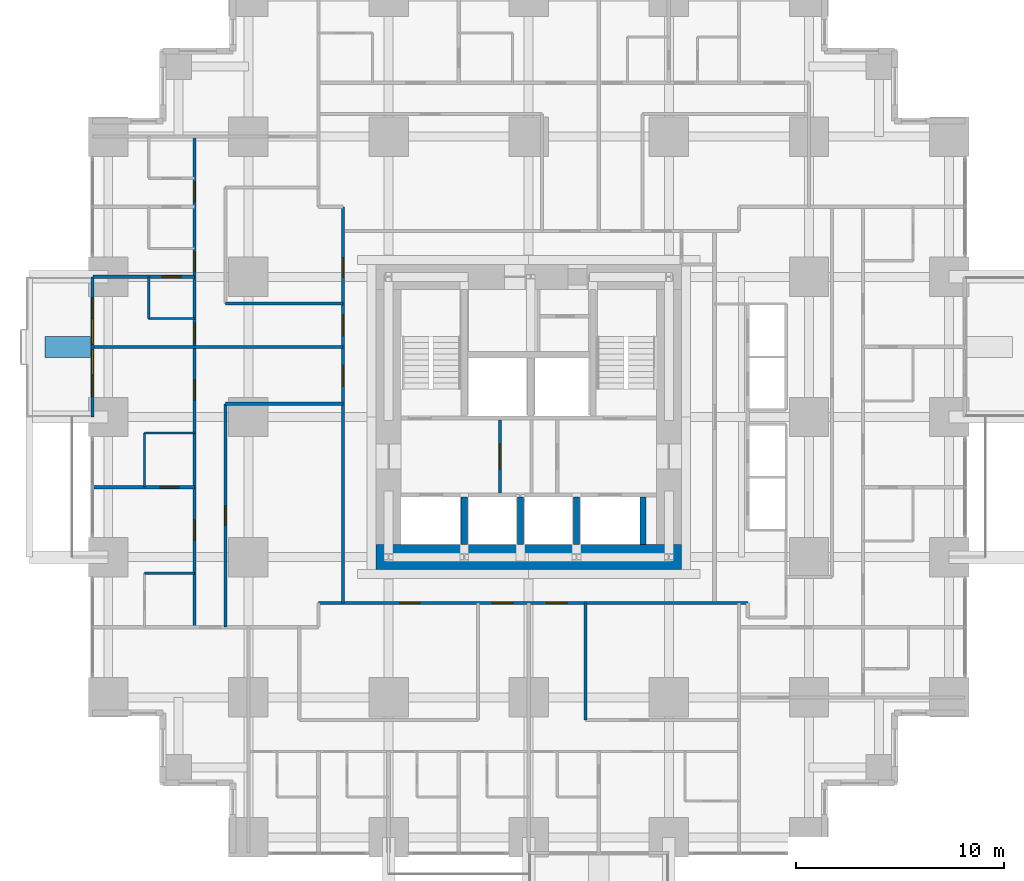
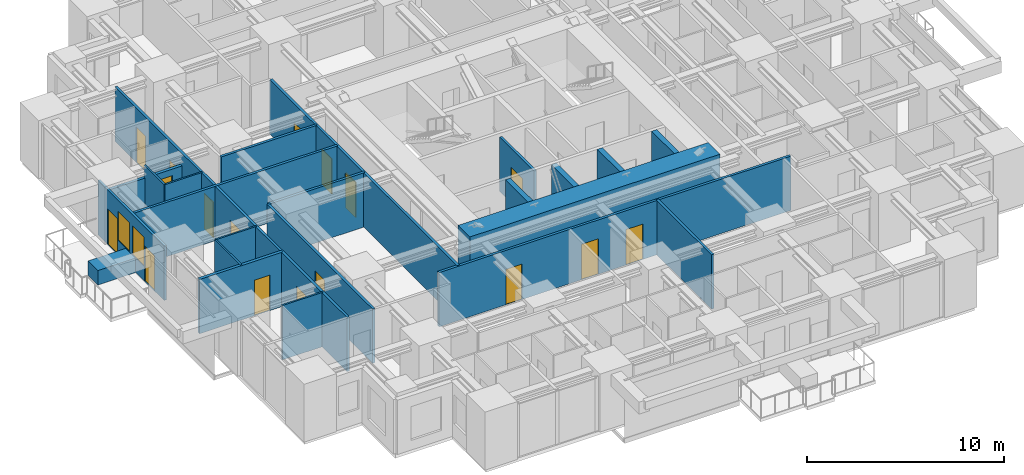
# One storey, part 9 of 14: 23 walls, 17 doors, 2 windows, 19 openings.
"""IFC4 building model written with IfcOpenShell, lengths in metres."""

from ifc_helpers import new_model, si_unit, direction, frame, frame_2d, origin, place, context, subcontext, project, spatial, rectangle, extrude, material, layer, layer_set, type_object, element, fill, save


model = new_model("IFC4")

# Units and contexts
model_context = context("Model", 3, precision=1e-05, world=origin(), true_north=direction((0.0, 1.0)))
body_context = subcontext(model_context, "Body", "Model", "MODEL_VIEW")
ifc_project = project(units=[si_unit("LENGTHUNIT", "METRE"), si_unit("AREAUNIT", "SQUARE_METRE"), si_unit("VOLUMEUNIT", "CUBIC_METRE"), si_unit("PLANEANGLEUNIT", "RADIAN"), si_unit("MASSUNIT", "GRAM", prefix="KILO")], contexts=[model_context])

# Site, building, storey
site_placement = place(None, origin())
site = spatial("IfcSite", under=ifc_project, at=site_placement, CompositionType="ELEMENT")
building_placement = place(site_placement, origin())
building = spatial("IfcBuilding", under=site, at=building_placement, Name="Nyansa Garden Tower", CompositionType="ELEMENT")
storey_placement = place(building_placement, frame((0.0, 0.0, 43.199951171875)))
storey = spatial("IfcBuildingStorey", under=building, at=storey_placement, Name="L11", CompositionType="ELEMENT", Elevation=43.199951171875)

# Wall, opening, door
ifc_material_1 = material(Name="Dense blockwork, plastered both sides, 55 dB", Category="masonry")
ifc_layer_1 = layer(ifc_material_1, 0.175048828125)
ifc_layer_set_1 = layer_set([ifc_layer_1], Name="Acoustic party wall PW175")
wall_type_1 = type_object("IfcWallType", Name="Acoustic party wall PW175", PredefinedType="PARTITIONING", material=ifc_layer_set_1)
wall_1_placement = place(storey_placement, frame((-0.73388671875, 16.875, 0.0), z_axis=(0.0, 0.0, 1.0), x_axis=(1.0, 0.0, 0.0)))
wall_1 = element("IfcWall", 1, at=wall_1_placement, inside=storey, type_object=wall_type_1, Name="Party wall", PredefinedType="PARTITIONING", context=body_context, shape_type="SweptSolid", body=[
    extrude(rectangle(XDim=4.8837890625, YDim=0.175048828125, at=frame_2d((2.44189453125, 0.0))), origin(), (0.0, 0.0, 1.0), 3.375),
])
opening_1_placement = place(wall_1_placement, frame((3.23388671875, 0.0, 0.0)))
opening_1 = element("IfcOpeningElement", 2, at=opening_1_placement, cuts=wall_1, Name="Opening D02", PredefinedType="OPENING", context=body_context, shape_type="SweptSolid", body=[
    extrude(rectangle(XDim=0.89990234375, YDim=2.199951171875, at=frame_2d((0.449951171875, 1.10009765625))), frame((0.0, 0.097412109375, 0.0), z_axis=(0.0, -1.0, 0.0), x_axis=(1.0, 0.0, 0.0)), (0.0, 0.0, 1.0), 0.195068359375),
])
ifc_material_2 = material(Name="Timber flush door", Category="wood")
door_type_1 = type_object("IfcDoorType", Name="En-suite door D02 900x2200", OperationType="SINGLE_SWING_RIGHT", PredefinedType="DOOR", material=ifc_material_2)
door_1_placement = place(opening_1_placement, origin())
door_1 = element("IfcDoor", 3, at=door_1_placement, inside=storey, type_object=door_type_1, Name="Door L11-072", OperationType="SINGLE_SWING_RIGHT", OverallHeight=2.199951171875, OverallWidth=0.89990234375, PredefinedType="DOOR", context=body_context, shape_type="SweptSolid", body=[
    extrude(rectangle(XDim=0.89990234375, YDim=2.199951171875, at=frame_2d((0.449951171875, 1.10009765625))), frame((0.0, 0.02490234375, 0.0), z_axis=(0.0, -1.0, 0.0), x_axis=(1.0, 0.0, 0.0)), (0.0, 0.0, 1.0), 0.050048828125),
])
fill(opening_1, door_1)

wall_2_placement = place(storey_placement, frame((-0.73388671875, 27.0, 0.0), z_axis=(0.0, 0.0, 1.0), x_axis=(1.0, 0.0, 0.0)))
wall_2 = element("IfcWall", 4, at=wall_2_placement, inside=storey, type_object=wall_type_1, Name="Party wall", PredefinedType="PARTITIONING", context=body_context, shape_type="SweptSolid", body=[
    extrude(rectangle(XDim=4.8837890625, YDim=0.175048828125, at=frame_2d((2.44189453125, 0.0))), origin(), (0.0, 0.0, 1.0), 2.610107421875),
])
opening_2_placement = place(wall_2_placement, frame((3.333984375, 0.0, 0.0)))
opening_2 = element("IfcOpeningElement", 5, at=opening_2_placement, cuts=wall_2, Name="Opening D02", PredefinedType="OPENING", context=body_context, shape_type="SweptSolid", body=[
    extrude(rectangle(XDim=0.89990234375, YDim=2.199951171875, at=frame_2d((0.449951171875, 1.10009765625))), frame((0.0, 0.097412109375, 0.0), z_axis=(0.0, -1.0, 0.0), x_axis=(1.0, 0.0, 0.0)), (0.0, 0.0, 1.0), 0.195068359375),
])
door_2_placement = place(opening_2_placement, origin())
door_2 = element("IfcDoor", 6, at=door_2_placement, inside=storey, type_object=door_type_1, Name="Door L11-067", OperationType="SINGLE_SWING_RIGHT", OverallHeight=2.199951171875, OverallWidth=0.89990234375, PredefinedType="DOOR", context=body_context, shape_type="SweptSolid", body=[
    extrude(rectangle(XDim=0.89990234375, YDim=2.199951171875, at=frame_2d((0.449951171875, 1.10009765625))), frame((0.0, 0.02490234375, 0.0), z_axis=(0.0, -1.0, 0.0), x_axis=(1.0, 0.0, 0.0)), (0.0, 0.0, 1.0), 0.050048828125),
])
fill(opening_2, door_2)

# Wall, openings, doors, windows
ifc_material_3 = material(Name="Black aluminium framed glazed screen", Category="aluminium")
ifc_layer_2 = layer(ifc_material_3, 0.14990234375)
ifc_layer_set_2 = layer_set([ifc_layer_2], Name="Balcony screen wall BW150")
wall_type_2 = type_object("IfcWallType", Name="Balcony screen wall BW150", PredefinedType="SOLIDWALL", material=ifc_layer_set_2)
wall_3_placement = place(storey_placement, frame((-0.75, 20.25, 0.0), z_axis=(0.0, 0.0, 1.0), x_axis=(0.0, 1.0, 0.0)))
wall_3 = element("IfcWall", 7, at=wall_3_placement, inside=storey, type_object=wall_type_2, Name="Glazed screen wall L11 W", PredefinedType="SOLIDWALL", context=body_context, shape_type="SweptSolid", body=[
    extrude(rectangle(XDim=6.75, YDim=0.14990234375, at=frame_2d((3.375, 0.0))), origin(), (0.0, 0.0, 1.0), 3.375),
])
opening_3_placement = place(wall_3_placement, frame((0.995849609375, 0.0, 0.0)))
opening_3 = element("IfcOpeningElement", 8, at=opening_3_placement, cuts=wall_3, Name="Opening D20", PredefinedType="OPENING", context=body_context, shape_type="SweptSolid", body=[
    extrude(rectangle(XDim=1.0, YDim=2.199951171875, at=frame_2d((0.5, 1.10009765625))), frame((0.0, 0.0849609375, 0.0), z_axis=(0.0, -1.0, 0.0), x_axis=(1.0, 0.0, 0.0)), (0.0, 0.0, 1.0), 0.169921875),
])
opening_4_placement = place(wall_3_placement, frame((2.041748046875, 0.0, 0.89990234375)))
opening_4 = element("IfcOpeningElement", 9, at=opening_4_placement, cuts=wall_3, Name="Opening W6", PredefinedType="OPENING", context=body_context, shape_type="SweptSolid", body=[
    extrude(rectangle(XDim=1.199951171875, YDim=1.800048828125, at=frame_2d((0.60009765625, 0.89990234375))), frame((0.0, 0.0849609375, 0.0), z_axis=(0.0, -1.0, 0.0), x_axis=(1.0, 0.0, 0.0)), (0.0, 0.0, 1.0), 0.169921875),
])
opening_5_placement = place(wall_3_placement, frame((4.754150390625, 0.0, 0.0)))
opening_5 = element("IfcOpeningElement", 10, at=opening_5_placement, cuts=wall_3, Name="Opening D20", PredefinedType="OPENING", context=body_context, shape_type="SweptSolid", body=[
    extrude(rectangle(XDim=1.0, YDim=2.199951171875, at=frame_2d((0.5, 1.10009765625))), frame((0.0, 0.0849609375, 0.0), z_axis=(0.0, -1.0, 0.0), x_axis=(1.0, 0.0, 0.0)), (0.0, 0.0, 1.0), 0.169921875),
])
opening_6_placement = place(wall_3_placement, frame((3.50830078125, 0.0, 0.89990234375)))
opening_6 = element("IfcOpeningElement", 11, at=opening_6_placement, cuts=wall_3, Name="Opening W6", PredefinedType="OPENING", context=body_context, shape_type="SweptSolid", body=[
    extrude(rectangle(XDim=1.199951171875, YDim=1.800048828125, at=frame_2d((0.60009765625, 0.89990234375))), frame((0.0, 0.0849609375, 0.0), z_axis=(0.0, -1.0, 0.0), x_axis=(1.0, 0.0, 0.0)), (0.0, 0.0, 1.0), 0.169921875),
])
ifc_material_4 = material(Name="Black aluminium framed glazed door", Category="aluminium")
door_type_2 = type_object("IfcDoorType", Name="Balcony door D20 1000x2200", OperationType="NOTDEFINED", PredefinedType="DOOR", material=ifc_material_4)
door_3_placement = place(opening_3_placement, origin())
door_3 = element("IfcDoor", 12, at=door_3_placement, inside=storey, type_object=door_type_2, Name="Balcony door L11", OperationType="SINGLE_SWING_LEFT", OverallHeight=2.199951171875, OverallWidth=1.0, PredefinedType="DOOR", context=body_context, shape_type="SweptSolid", body=[
    extrude(rectangle(XDim=1.0, YDim=2.199951171875, at=frame_2d((0.5, 1.10009765625))), frame((0.0, 0.02490234375, 0.0), z_axis=(0.0, -1.0, 0.0), x_axis=(1.0, 0.0, 0.0)), (0.0, 0.0, 1.0), 0.050048828125),
])
fill(opening_3, door_3)
door_4_placement = place(opening_5_placement, origin())
door_4 = element("IfcDoor", 13, at=door_4_placement, inside=storey, type_object=door_type_2, Name="Balcony door L11", OperationType="SINGLE_SWING_RIGHT", OverallHeight=2.199951171875, OverallWidth=1.0, PredefinedType="DOOR", context=body_context, shape_type="SweptSolid", body=[
    extrude(rectangle(XDim=1.0, YDim=2.199951171875, at=frame_2d((0.5, 1.10009765625))), frame((0.0, 0.02490234375, 0.0), z_axis=(0.0, -1.0, 0.0), x_axis=(1.0, 0.0, 0.0)), (0.0, 0.0, 1.0), 0.050048828125),
])
fill(opening_5, door_4)
ifc_material_5 = material(Name="Black aluminium frame, dark tinted double glazing", Category="aluminium")
window_type = type_object("IfcWindowType", Name="Balcony window W6 1200x1800", PartitioningType="SINGLE_PANEL", PredefinedType="WINDOW", material=ifc_material_5)
window_1_placement = place(opening_4_placement, origin())
window_1 = element("IfcWindow", 14, at=window_1_placement, inside=storey, type_object=window_type, Name="Window L11", OverallHeight=1.800048828125, OverallWidth=1.199951171875, PartitioningType="SINGLE_PANEL", PredefinedType="WINDOW", context=body_context, shape_type="SweptSolid", body=[
    extrude(rectangle(XDim=1.199951171875, YDim=1.800048828125, at=frame_2d((0.60009765625, 0.89990234375))), frame((0.0, 0.030029296875, 0.0), z_axis=(0.0, -1.0, 0.0), x_axis=(1.0, 0.0, 0.0)), (0.0, 0.0, 1.0), 0.06005859375),
])
fill(opening_4, window_1)
window_2_placement = place(opening_6_placement, origin())
window_2 = element("IfcWindow", 15, at=window_2_placement, inside=storey, type_object=window_type, Name="Window L11", OverallHeight=1.800048828125, OverallWidth=1.199951171875, PartitioningType="SINGLE_PANEL", PredefinedType="WINDOW", context=body_context, shape_type="SweptSolid", body=[
    extrude(rectangle(XDim=1.199951171875, YDim=1.800048828125, at=frame_2d((0.60009765625, 0.89990234375))), frame((0.0, 0.030029296875, 0.0), z_axis=(0.0, -1.0, 0.0), x_axis=(1.0, 0.0, 0.0)), (0.0, 0.0, 1.0), 0.06005859375),
])
fill(opening_6, window_2)

# Walls
ifc_material_6 = material(Name="Concrete C70/85", Category="concrete")
ifc_layer_3 = layer(ifc_material_6, 0.300048828125)
ifc_layer_set_3 = layer_set([ifc_layer_3], Name="Core inner wall CI300")
wall_type_3 = type_object("IfcWallType", Name="Core inner wall CI300", PredefinedType="SHEAR", material=ifc_layer_set_3)
for number, where, z_axis, x_axis, name in (
    (16, (17.14990234375, 14.10009765625, 0.0), (0.0, 0.0, 1.0), (0.0, 1.0, 0.0), "Core inner wall L11"),
    (17, (19.85009765625, 14.10009765625, 0.0), (0.0, 0.0, 1.0), (0.0, 1.0, 0.0), "Core inner wall L11"),
    (18, (22.550048828125, 14.10009765625, 0.0), (0.0, 0.0, 1.0), (0.0, 1.0, 0.0), "Core inner wall L11"),
    (19, (25.75, 14.10009765625, 0.0), (0.0, 0.0, 1.0), (0.0, 1.0, 0.0), "Core inner wall L11"),
):
    element("IfcWall", number, at=place(storey_placement, frame(where, z_axis=z_axis, x_axis=x_axis)), inside=storey, type_object=wall_type_3, Name=name, PredefinedType="SHEAR", context=body_context, shape_type="SweptSolid", body=[
        extrude(rectangle(XDim=2.2998046875, YDim=0.300048828125, at=frame_2d((1.14990234375, 0.0))), origin(), (0.0, 0.0, 1.0), 3.60009765625),
    ])
ifc_material_7 = material(Name="Concrete C80/95", Category="concrete")
ifc_layer_4 = layer(ifc_material_7, 1.199951171875)
ifc_layer_set_4 = layer_set([ifc_layer_4], Name="Core wall CW1200")
wall_type_4 = type_object("IfcWallType", Name="Core wall CW1200", PredefinedType="SHEAR", material=ifc_layer_set_4)
wall_4_placement = place(storey_placement, frame((12.89990234375, 13.5, 0.0), z_axis=(0.0, 0.0, 1.0), x_axis=(1.0, 0.0, 0.0)))
element("IfcWall", 20, at=wall_4_placement, inside=storey, type_object=wall_type_4, Name="Core wall S L11", PredefinedType="SHEAR", context=body_context, shape_type="SweptSolid", body=[
    extrude(rectangle(XDim=14.7001953125, YDim=1.199951171875, at=frame_2d((7.35009765625, 0.0))), origin(), (0.0, 0.0, 1.0), 3.60009765625),
])

# Wall, opening, door
ifc_material_8 = material(Name="Blockwork, plastered both sides", Category="masonry")
ifc_layer_5 = layer(ifc_material_8, 0.14990234375)
ifc_layer_set_5 = layer_set([ifc_layer_5], Name="Partition PW150")
wall_type_5 = type_object("IfcWallType", Name="Partition PW150", PredefinedType="PARTITIONING", material=ifc_layer_set_5)
wall_5_placement = place(storey_placement, frame((18.875, 16.60009765625, 0.0), z_axis=(0.0, 0.0, 1.0), x_axis=(0.0, 1.0, 0.0)))
wall_5 = element("IfcWall", 21, at=wall_5_placement, inside=storey, type_object=wall_type_5, Name="Partition", PredefinedType="PARTITIONING", context=body_context, shape_type="SweptSolid", body=[
    extrude(rectangle(XDim=3.5, YDim=0.14990234375, at=frame_2d((1.75, 0.0))), origin(), (0.0, 0.0, 1.0), 3.375),
])
opening_7_placement = place(wall_5_placement, frame((1.14990234375, 0.0, 0.0)))
opening_7 = element("IfcOpeningElement", 22, at=opening_7_placement, cuts=wall_5, Name="Opening D06", PredefinedType="OPENING", context=body_context, shape_type="SweptSolid", body=[
    extrude(rectangle(XDim=1.199951171875, YDim=2.199951171875, at=frame_2d((0.60009765625, 1.10009765625))), frame((0.0, 0.0849609375, 0.0), z_axis=(0.0, -1.0, 0.0), x_axis=(1.0, 0.0, 0.0)), (0.0, 0.0, 1.0), 0.169921875),
])
ifc_material_9 = material(Name="Steel door, 120 minute fire resisting", Category="steel")
door_type_3 = type_object("IfcDoorType", Name="Lobby door D06 1200x2200", OperationType="DOUBLE_DOOR_SINGLE_SWING", PredefinedType="DOOR", material=ifc_material_9)
door_5_placement = place(opening_7_placement, origin())
door_5 = element("IfcDoor", 23, at=door_5_placement, inside=storey, type_object=door_type_3, Name="Passenger lift lobby door", OperationType="DOUBLE_DOOR_SINGLE_SWING", OverallHeight=2.199951171875, OverallWidth=1.199951171875, PredefinedType="DOOR", context=body_context, shape_type="SweptSolid", body=[
    extrude(rectangle(XDim=1.199951171875, YDim=2.199951171875, at=frame_2d((0.60009765625, 1.10009765625))), frame((0.0, 0.02490234375, 0.0), z_axis=(0.0, -1.0, 0.0), x_axis=(1.0, 0.0, 0.0)), (0.0, 0.0, 1.0), 0.050048828125),
])
fill(opening_7, door_5)

# Wall
wall_6_placement = place(storey_placement, frame((-0.73388671875, 23.625, 0.0), z_axis=(0.0, 0.0, 1.0), x_axis=(1.0, 0.0, 0.0)))
element("IfcWall", 24, at=wall_6_placement, inside=storey, type_object=wall_type_5, Name="Partition", PredefinedType="PARTITIONING", context=body_context, shape_type="SweptSolid", body=[
    extrude(rectangle(XDim=12.033935546875, YDim=0.14990234375, at=frame_2d((6.01708984375, 0.0))), origin(), (0.0, 0.0, 1.0), 3.375),
])

# Wall, openings, doors
wall_7_placement = place(storey_placement, frame((4.14990234375, 10.125, 0.0), z_axis=(0.0, 0.0, 1.0), x_axis=(0.0, 1.0, 0.0)))
wall_7 = element("IfcWall", 25, at=wall_7_placement, inside=storey, type_object=wall_type_5, Name="Partition", PredefinedType="PARTITIONING", context=body_context, shape_type="SweptSolid", body=[
    extrude(rectangle(XDim=23.625, YDim=0.14990234375, at=frame_2d((11.8125, 0.0))), origin(), (0.0, 0.0, 1.0), 3.375),
])
opening_8_placement = place(wall_7_placement, frame((20.5, 0.0, 0.0)))
opening_8 = element("IfcOpeningElement", 26, at=opening_8_placement, cuts=wall_7, Name="Opening D01", PredefinedType="OPENING", context=body_context, shape_type="SweptSolid", body=[
    extrude(rectangle(XDim=0.949951171875, YDim=2.199951171875, at=frame_2d((0.47509765625, 1.10009765625))), frame((0.0, 0.0849609375, 0.0), z_axis=(0.0, -1.0, 0.0), x_axis=(1.0, 0.0, 0.0)), (0.0, 0.0, 1.0), 0.169921875),
])
opening_9_placement = place(wall_7_placement, frame((17.125, 0.0, 0.0)))
opening_9 = element("IfcOpeningElement", 27, at=opening_9_placement, cuts=wall_7, Name="Opening D01", PredefinedType="OPENING", context=body_context, shape_type="SweptSolid", body=[
    extrude(rectangle(XDim=0.949951171875, YDim=2.199951171875, at=frame_2d((0.47509765625, 1.10009765625))), frame((0.0, 0.0849609375, 0.0), z_axis=(0.0, -1.0, 0.0), x_axis=(1.0, 0.0, 0.0)), (0.0, 0.0, 1.0), 0.169921875),
])
opening_10_placement = place(wall_7_placement, frame((13.699951171875, 0.0, 0.0)))
opening_10 = element("IfcOpeningElement", 28, at=opening_10_placement, cuts=wall_7, Name="Opening D01", PredefinedType="OPENING", context=body_context, shape_type="SweptSolid", body=[
    extrude(rectangle(XDim=0.949951171875, YDim=2.199951171875, at=frame_2d((0.47509765625, 1.10009765625))), frame((0.0, 0.0849609375, 0.0), z_axis=(0.0, -1.0, 0.0), x_axis=(1.0, 0.0, 0.0)), (0.0, 0.0, 1.0), 0.169921875),
])
opening_11_placement = place(wall_7_placement, frame((4.199951171875, 0.0, 0.0)))
opening_11 = element("IfcOpeningElement", 29, at=opening_11_placement, cuts=wall_7, Name="Opening D14", PredefinedType="OPENING", context=body_context, shape_type="SweptSolid", body=[
    extrude(rectangle(XDim=0.949951171875, YDim=2.199951171875, at=frame_2d((0.47509765625, 1.10009765625))), frame((0.0, 0.0849609375, 0.0), z_axis=(0.0, -1.0, 0.0), x_axis=(1.0, 0.0, 0.0)), (0.0, 0.0, 1.0), 0.169921875),
])
opening_12_placement = place(wall_7_placement, frame((10.949951171875, 0.0, 0.0)))
opening_12 = element("IfcOpeningElement", 30, at=opening_12_placement, cuts=wall_7, Name="Opening D14", PredefinedType="OPENING", context=body_context, shape_type="SweptSolid", body=[
    extrude(rectangle(XDim=0.949951171875, YDim=2.199951171875, at=frame_2d((0.47509765625, 1.10009765625))), frame((0.0, 0.0849609375, 0.0), z_axis=(0.0, -1.0, 0.0), x_axis=(1.0, 0.0, 0.0)), (0.0, 0.0, 1.0), 0.169921875),
])
ifc_material_10 = material(Name="Timber flush door, 30 minute fire resisting", Category="wood")
door_type_4 = type_object("IfcDoorType", Name="Bedroom door D01 950x2200", OperationType="SINGLE_SWING_LEFT", PredefinedType="DOOR", material=ifc_material_10)
door_6_placement = place(opening_8_placement, origin())
door_6 = element("IfcDoor", 31, at=door_6_placement, inside=storey, type_object=door_type_4, Name="Door L11-062", OperationType="SINGLE_SWING_LEFT", OverallHeight=2.199951171875, OverallWidth=0.949951171875, PredefinedType="DOOR", context=body_context, shape_type="SweptSolid", body=[
    extrude(rectangle(XDim=0.949951171875, YDim=2.199951171875, at=frame_2d((0.47509765625, 1.10009765625))), frame((0.0, 0.02490234375, 0.0), z_axis=(0.0, -1.0, 0.0), x_axis=(1.0, 0.0, 0.0)), (0.0, 0.0, 1.0), 0.050048828125),
])
fill(opening_8, door_6)
door_7_placement = place(opening_9_placement, origin())
door_7 = element("IfcDoor", 32, at=door_7_placement, inside=storey, type_object=door_type_4, Name="Door L11-064", OperationType="SINGLE_SWING_LEFT", OverallHeight=2.199951171875, OverallWidth=0.949951171875, PredefinedType="DOOR", context=body_context, shape_type="SweptSolid", body=[
    extrude(rectangle(XDim=0.949951171875, YDim=2.199951171875, at=frame_2d((0.47509765625, 1.10009765625))), frame((0.0, 0.02490234375, 0.0), z_axis=(0.0, -1.0, 0.0), x_axis=(1.0, 0.0, 0.0)), (0.0, 0.0, 1.0), 0.050048828125),
])
fill(opening_9, door_7)
door_8_placement = place(opening_10_placement, origin())
door_8 = element("IfcDoor", 33, at=door_8_placement, inside=storey, type_object=door_type_4, Name="Door L11-066", OperationType="SINGLE_SWING_LEFT", OverallHeight=2.199951171875, OverallWidth=0.949951171875, PredefinedType="DOOR", context=body_context, shape_type="SweptSolid", body=[
    extrude(rectangle(XDim=0.949951171875, YDim=2.199951171875, at=frame_2d((0.47509765625, 1.10009765625))), frame((0.0, 0.02490234375, 0.0), z_axis=(0.0, -1.0, 0.0), x_axis=(1.0, 0.0, 0.0)), (0.0, 0.0, 1.0), 0.050048828125),
])
fill(opening_10, door_8)
ifc_material_11 = material(Name="Timber flush door, 60 minute fire resisting, self-closing", Category="wood")
door_type_5 = type_object("IfcDoorType", Name="Studio entrance door D14 950x2200", OperationType="SINGLE_SWING_LEFT", PredefinedType="DOOR", material=ifc_material_11)
door_9_placement = place(opening_11_placement, origin())
door_9 = element("IfcDoor", 34, at=door_9_placement, inside=storey, type_object=door_type_5, Name="Door L11-069", OperationType="SINGLE_SWING_LEFT", OverallHeight=2.199951171875, OverallWidth=0.949951171875, PredefinedType="DOOR", context=body_context, shape_type="SweptSolid", body=[
    extrude(rectangle(XDim=0.949951171875, YDim=2.199951171875, at=frame_2d((0.47509765625, 1.10009765625))), frame((0.0, 0.02490234375, 0.0), z_axis=(0.0, -1.0, 0.0), x_axis=(1.0, 0.0, 0.0)), (0.0, 0.0, 1.0), 0.050048828125),
])
fill(opening_11, door_9)
door_10_placement = place(opening_12_placement, origin())
door_10 = element("IfcDoor", 35, at=door_10_placement, inside=storey, type_object=door_type_5, Name="Door L11-071", OperationType="SINGLE_SWING_LEFT", OverallHeight=2.199951171875, OverallWidth=0.949951171875, PredefinedType="DOOR", context=body_context, shape_type="SweptSolid", body=[
    extrude(rectangle(XDim=0.949951171875, YDim=2.199951171875, at=frame_2d((0.47509765625, 1.10009765625))), frame((0.0, 0.02490234375, 0.0), z_axis=(0.0, -1.0, 0.0), x_axis=(1.0, 0.0, 0.0)), (0.0, 0.0, 1.0), 0.050048828125),
])
fill(opening_12, door_10)

# Wall, opening, door
wall_8_placement = place(storey_placement, frame((5.64990234375, 10.125, 0.0), z_axis=(0.0, 0.0, 1.0), x_axis=(0.0, 1.0, 0.0)))
wall_8 = element("IfcWall", 36, at=wall_8_placement, inside=storey, type_object=wall_type_5, Name="Partition", PredefinedType="PARTITIONING", context=body_context, shape_type="SweptSolid", body=[
    extrude(rectangle(XDim=10.762451171875, YDim=0.14990234375, at=frame_2d((5.38134765625, 0.0))), origin(), (0.0, 0.0, 1.0), 3.375),
])
opening_13_placement = place(wall_8_placement, frame((4.89990234375, 0.0, 0.0)))
opening_13 = element("IfcOpeningElement", 37, at=opening_13_placement, cuts=wall_8, Name="Opening D01", PredefinedType="OPENING", context=body_context, shape_type="SweptSolid", body=[
    extrude(rectangle(XDim=0.949951171875, YDim=2.199951171875, at=frame_2d((0.47509765625, 1.10009765625))), frame((0.0, 0.0849609375, 0.0), z_axis=(0.0, -1.0, 0.0), x_axis=(1.0, 0.0, 0.0)), (0.0, 0.0, 1.0), 0.169921875),
])
door_11_placement = place(opening_13_placement, origin())
door_11 = element("IfcDoor", 38, at=door_11_placement, inside=storey, type_object=door_type_4, Name="Door L11-075", OperationType="SINGLE_SWING_LEFT", OverallHeight=2.199951171875, OverallWidth=0.949951171875, PredefinedType="DOOR", context=body_context, shape_type="SweptSolid", body=[
    extrude(rectangle(XDim=0.949951171875, YDim=2.199951171875, at=frame_2d((0.47509765625, 1.10009765625))), frame((0.0, 0.02490234375, 0.0), z_axis=(0.0, -1.0, 0.0), x_axis=(1.0, 0.0, 0.0)), (0.0, 0.0, 1.0), 0.050048828125),
])
fill(opening_13, door_11)

# Walls
for number, where, z_axis, x_axis, name in (
    (39, (5.64990234375, 20.886962890625, 0.0), (0.0, 0.0, 1.0), (1.0, 0.0, 0.0), "Partition"),
    (40, (5.64990234375, 25.72509765625, 0.0), (0.0, 0.0, 1.0), (1.0, 0.0, 0.0), "Partition"),
):
    element("IfcWall", number, at=place(storey_placement, frame(where, z_axis=z_axis, x_axis=x_axis)), inside=storey, type_object=wall_type_5, Name=name, PredefinedType="PARTITIONING", context=body_context, shape_type="SweptSolid", body=[
        extrude(rectangle(XDim=5.650146484375, YDim=0.14990234375, at=frame_2d((2.8251953125, 0.0))), origin(), (0.0, 0.0, 1.0), 3.375),
    ])

# Wall, openings, doors
wall_9_placement = place(storey_placement, frame((10.125, 11.300048828125, 0.0), z_axis=(0.0, 0.0, 1.0), x_axis=(1.0, 0.0, 0.0)))
wall_9 = element("IfcWall", 41, at=wall_9_placement, inside=storey, type_object=wall_type_5, Name="Partition", PredefinedType="PARTITIONING", context=body_context, shape_type="SweptSolid", body=[
    extrude(rectangle(XDim=20.675048828125, YDim=0.14990234375, at=frame_2d((10.33740234375, 0.0))), origin(), (0.0, 0.0, 1.0), 3.375),
])
opening_14_placement = place(wall_9_placement, frame((8.375, 0.0, 0.0)))
opening_14 = element("IfcOpeningElement", 42, at=opening_14_placement, cuts=wall_9, Name="Opening D03", PredefinedType="OPENING", context=body_context, shape_type="SweptSolid", body=[
    extrude(rectangle(XDim=1.0, YDim=2.199951171875, at=frame_2d((0.5, 1.10009765625))), frame((0.0, 0.0849609375, 0.0), z_axis=(0.0, -1.0, 0.0), x_axis=(1.0, 0.0, 0.0)), (0.0, 0.0, 1.0), 0.169921875),
])
opening_15_placement = place(wall_9_placement, frame((10.97509765625, 0.0, 0.0)))
opening_15 = element("IfcOpeningElement", 43, at=opening_15_placement, cuts=wall_9, Name="Opening D03", PredefinedType="OPENING", context=body_context, shape_type="SweptSolid", body=[
    extrude(rectangle(XDim=1.0, YDim=2.199951171875, at=frame_2d((0.5, 1.10009765625))), frame((0.0, 0.0849609375, 0.0), z_axis=(0.0, -1.0, 0.0), x_axis=(1.0, 0.0, 0.0)), (0.0, 0.0, 1.0), 0.169921875),
])
opening_16_placement = place(wall_9_placement, frame((3.925048828125, 0.0, 0.0)))
opening_16 = element("IfcOpeningElement", 44, at=opening_16_placement, cuts=wall_9, Name="Opening D01", PredefinedType="OPENING", context=body_context, shape_type="SweptSolid", body=[
    extrude(rectangle(XDim=0.949951171875, YDim=2.199951171875, at=frame_2d((0.47509765625, 1.10009765625))), frame((0.0, 0.0849609375, 0.0), z_axis=(0.0, -1.0, 0.0), x_axis=(1.0, 0.0, 0.0)), (0.0, 0.0, 1.0), 0.169921875),
])
door_12_placement = place(opening_16_placement, origin())
door_12 = element("IfcDoor", 45, at=door_12_placement, inside=storey, type_object=door_type_4, Name="Door L11-034", OperationType="SINGLE_SWING_LEFT", OverallHeight=2.199951171875, OverallWidth=0.949951171875, PredefinedType="DOOR", context=body_context, shape_type="SweptSolid", body=[
    extrude(rectangle(XDim=0.949951171875, YDim=2.199951171875, at=frame_2d((0.47509765625, 1.10009765625))), frame((0.0, 0.02490234375, 0.0), z_axis=(0.0, -1.0, 0.0), x_axis=(1.0, 0.0, 0.0)), (0.0, 0.0, 1.0), 0.050048828125),
])
fill(opening_16, door_12)
ifc_material_12 = material(Name="Timber flush door, 60 minute fire resisting", Category="wood")
door_type_6 = type_object("IfcDoorType", Name="Cluster entrance door D03 1000x2200", OperationType="SINGLE_SWING_LEFT", PredefinedType="DOOR", material=ifc_material_12)
door_13_placement = place(opening_14_placement, origin())
door_13 = element("IfcDoor", 46, at=door_13_placement, inside=storey, type_object=door_type_6, Name="Door L11-028", OperationType="SINGLE_SWING_LEFT", OverallHeight=2.199951171875, OverallWidth=1.0, PredefinedType="DOOR", context=body_context, shape_type="SweptSolid", body=[
    extrude(rectangle(XDim=1.0, YDim=2.199951171875, at=frame_2d((0.5, 1.10009765625))), frame((0.0, 0.02490234375, 0.0), z_axis=(0.0, -1.0, 0.0), x_axis=(1.0, 0.0, 0.0)), (0.0, 0.0, 1.0), 0.050048828125),
])
fill(opening_14, door_13)
door_14_placement = place(opening_15_placement, origin())
door_14 = element("IfcDoor", 47, at=door_14_placement, inside=storey, type_object=door_type_6, Name="Door L11-033", OperationType="SINGLE_SWING_LEFT", OverallHeight=2.199951171875, OverallWidth=1.0, PredefinedType="DOOR", context=body_context, shape_type="SweptSolid", body=[
    extrude(rectangle(XDim=1.0, YDim=2.199951171875, at=frame_2d((0.5, 1.10009765625))), frame((0.0, 0.02490234375, 0.0), z_axis=(0.0, -1.0, 0.0), x_axis=(1.0, 0.0, 0.0)), (0.0, 0.0, 1.0), 0.050048828125),
])
fill(opening_15, door_14)

wall_10_placement = place(storey_placement, frame((11.300048828125, 11.300048828125, 0.0), z_axis=(0.0, 0.0, 1.0), x_axis=(0.0, 1.0, 0.0)))
wall_10 = element("IfcWall", 48, at=wall_10_placement, inside=storey, type_object=wall_type_5, Name="Partition", PredefinedType="PARTITIONING", context=body_context, shape_type="SweptSolid", body=[
    extrude(rectangle(XDim=19.074951171875, YDim=0.14990234375, at=frame_2d((9.53759765625, 0.0))), origin(), (0.0, 0.0, 1.0), 3.375),
])
opening_17_placement = place(wall_10_placement, frame((12.875, 0.0, 0.0)))
opening_17 = element("IfcOpeningElement", 49, at=opening_17_placement, cuts=wall_10, Name="Opening D03", PredefinedType="OPENING", context=body_context, shape_type="SweptSolid", body=[
    extrude(rectangle(XDim=1.0, YDim=2.199951171875, at=frame_2d((0.5, 1.10009765625))), frame((0.0, 0.0849609375, 0.0), z_axis=(0.0, -1.0, 0.0), x_axis=(1.0, 0.0, 0.0)), (0.0, 0.0, 1.0), 0.169921875),
])
opening_18_placement = place(wall_10_placement, frame((10.4375, 0.0, 0.0)))
opening_18 = element("IfcOpeningElement", 50, at=opening_18_placement, cuts=wall_10, Name="Opening D03", PredefinedType="OPENING", context=body_context, shape_type="SweptSolid", body=[
    extrude(rectangle(XDim=1.0, YDim=2.199951171875, at=frame_2d((0.5, 1.10009765625))), frame((0.0, 0.0849609375, 0.0), z_axis=(0.0, -1.0, 0.0), x_axis=(1.0, 0.0, 0.0)), (0.0, 0.0, 1.0), 0.169921875),
])
opening_19_placement = place(wall_10_placement, frame((15.675048828125, 0.0, 0.0)))
opening_19 = element("IfcOpeningElement", 51, at=opening_19_placement, cuts=wall_10, Name="Opening D01", PredefinedType="OPENING", context=body_context, shape_type="SweptSolid", body=[
    extrude(rectangle(XDim=0.949951171875, YDim=2.199951171875, at=frame_2d((0.47509765625, 1.10009765625))), frame((0.0, 0.0849609375, 0.0), z_axis=(0.0, -1.0, 0.0), x_axis=(1.0, 0.0, 0.0)), (0.0, 0.0, 1.0), 0.169921875),
])
door_15_placement = place(opening_19_placement, origin())
door_15 = element("IfcDoor", 52, at=door_15_placement, inside=storey, type_object=door_type_4, Name="Door L11-074", OperationType="SINGLE_SWING_LEFT", OverallHeight=2.199951171875, OverallWidth=0.949951171875, PredefinedType="DOOR", context=body_context, shape_type="SweptSolid", body=[
    extrude(rectangle(XDim=0.949951171875, YDim=2.199951171875, at=frame_2d((0.47509765625, 1.10009765625))), frame((0.0, 0.02490234375, 0.0), z_axis=(0.0, -1.0, 0.0), x_axis=(1.0, 0.0, 0.0)), (0.0, 0.0, 1.0), 0.050048828125),
])
fill(opening_19, door_15)
door_16_placement = place(opening_17_placement, origin())
door_16 = element("IfcDoor", 53, at=door_16_placement, inside=storey, type_object=door_type_6, Name="Door L11-068", OperationType="SINGLE_SWING_LEFT", OverallHeight=2.199951171875, OverallWidth=1.0, PredefinedType="DOOR", context=body_context, shape_type="SweptSolid", body=[
    extrude(rectangle(XDim=1.0, YDim=2.199951171875, at=frame_2d((0.5, 1.10009765625))), frame((0.0, 0.02490234375, 0.0), z_axis=(0.0, -1.0, 0.0), x_axis=(1.0, 0.0, 0.0)), (0.0, 0.0, 1.0), 0.050048828125),
])
fill(opening_17, door_16)
door_17_placement = place(opening_18_placement, origin())
door_17 = element("IfcDoor", 54, at=door_17_placement, inside=storey, type_object=door_type_6, Name="Door L11-073", OperationType="SINGLE_SWING_LEFT", OverallHeight=2.199951171875, OverallWidth=1.0, PredefinedType="DOOR", context=body_context, shape_type="SweptSolid", body=[
    extrude(rectangle(XDim=1.0, YDim=2.199951171875, at=frame_2d((0.5, 1.10009765625))), frame((0.0, 0.02490234375, 0.0), z_axis=(0.0, -1.0, 0.0), x_axis=(1.0, 0.0, 0.0)), (0.0, 0.0, 1.0), 0.050048828125),
])
fill(opening_18, door_17)

# Walls
wall_11_placement = place(storey_placement, frame((22.988037109375, 5.64990234375, 0.0), z_axis=(0.0, 0.0, 1.0), x_axis=(0.0, 1.0, 0.0)))
element("IfcWall", 55, at=wall_11_placement, inside=storey, type_object=wall_type_5, Name="Partition", PredefinedType="PARTITIONING", context=body_context, shape_type="SweptSolid", body=[
    extrude(rectangle(XDim=5.650146484375, YDim=0.14990234375, at=frame_2d((2.8251953125, 0.0))), origin(), (0.0, 0.0, 1.0), 3.375),
])
ifc_material_13 = material(Name="Concrete C40/50 planter, waterproofed", Category="concrete")
ifc_layer_6 = layer(ifc_material_13, 1.0)
ifc_layer_set_6 = layer_set([ifc_layer_6], Name="Tree planter TP1")
wall_type_6 = type_object("IfcWallType", Name="Tree planter TP1", PredefinedType="USERDEFINED", material=ifc_layer_set_6)
wall_12_placement = place(storey_placement, frame((-0.85009765625, 23.625, 0.0), z_axis=(0.0, 0.0, 1.0), x_axis=(-1.0, 0.0, 0.0)))
element("IfcWall", 56, at=wall_12_placement, inside=storey, type_object=wall_type_6, Name="Tree planter L11", ObjectType="TREE PLANTER", PredefinedType="USERDEFINED", context=body_context, shape_type="SweptSolid", body=[
    extrude(rectangle(XDim=2.199951171875, YDim=1.0, at=frame_2d((1.10009765625, 0.0))), origin(), (0.0, 0.0, 1.0), 0.900146484375),
])
ifc_material_14 = material(Name="Moisture resistant board on steel studs, tiled", Category="steel")
ifc_layer_7 = layer(ifc_material_14, 0.10009765625)
ifc_layer_set_7 = layer_set([ifc_layer_7], Name="Wet wall PW100")
wall_type_7 = type_object("IfcWallType", Name="Wet wall PW100", PredefinedType="PARTITIONING", material=ifc_layer_set_7)
wall_13_placement = place(storey_placement, frame((1.75, 12.72509765625, 0.0), z_axis=(0.0, 0.0, 1.0), x_axis=(1.0, 0.0, 0.0)))
element("IfcWall", 57, at=wall_13_placement, inside=storey, type_object=wall_type_7, Name="Wet wall", PredefinedType="PARTITIONING", context=body_context, shape_type="SweptSolid", body=[
    extrude(rectangle(XDim=2.39990234375, YDim=0.10009765625, at=frame_2d((1.199951171875, 0.0))), origin(), (0.0, 0.0, 1.0), 3.375),
])
wall_14_placement = place(storey_placement, frame((1.75, 16.875, 0.0), z_axis=(0.0, 0.0, 1.0), x_axis=(0.0, 1.0, 0.0)))
element("IfcWall", 58, at=wall_14_placement, inside=storey, type_object=wall_type_7, Name="Wet wall", PredefinedType="PARTITIONING", context=body_context, shape_type="SweptSolid", body=[
    extrude(rectangle(XDim=2.60009765625, YDim=0.10009765625, at=frame_2d((1.300048828125, 0.0))), origin(), (0.0, 0.0, 1.0), 3.375),
])
wall_15_placement = place(storey_placement, frame((1.75, 19.47509765625, 0.0), z_axis=(0.0, 0.0, 1.0), x_axis=(1.0, 0.0, 0.0)))
element("IfcWall", 59, at=wall_15_placement, inside=storey, type_object=wall_type_7, Name="Wet wall", PredefinedType="PARTITIONING", context=body_context, shape_type="SweptSolid", body=[
    extrude(rectangle(XDim=2.39990234375, YDim=0.10009765625, at=frame_2d((1.199951171875, 0.0))), origin(), (0.0, 0.0, 1.0), 3.375),
])
wall_16_placement = place(storey_placement, frame((1.949951171875, 25.0, 0.0), z_axis=(0.0, 0.0, 1.0), x_axis=(0.0, 1.0, 0.0)))
element("IfcWall", 60, at=wall_16_placement, inside=storey, type_object=wall_type_7, Name="Wet wall", PredefinedType="PARTITIONING", context=body_context, shape_type="SweptSolid", body=[
    extrude(rectangle(XDim=2.0, YDim=0.10009765625, at=frame_2d((1.0, 0.0))), origin(), (0.0, 0.0, 1.0), 3.375),
])
wall_17_placement = place(storey_placement, frame((1.949951171875, 25.0, 0.0), z_axis=(0.0, 0.0, 1.0), x_axis=(1.0, 0.0, 0.0)))
element("IfcWall", 61, at=wall_17_placement, inside=storey, type_object=wall_type_7, Name="Wet wall", PredefinedType="PARTITIONING", context=body_context, shape_type="SweptSolid", body=[
    extrude(rectangle(XDim=2.199951171875, YDim=0.10009765625, at=frame_2d((1.10009765625, 0.0))), origin(), (0.0, 0.0, 1.0), 3.375),
])

save(model, "model.ifc")
